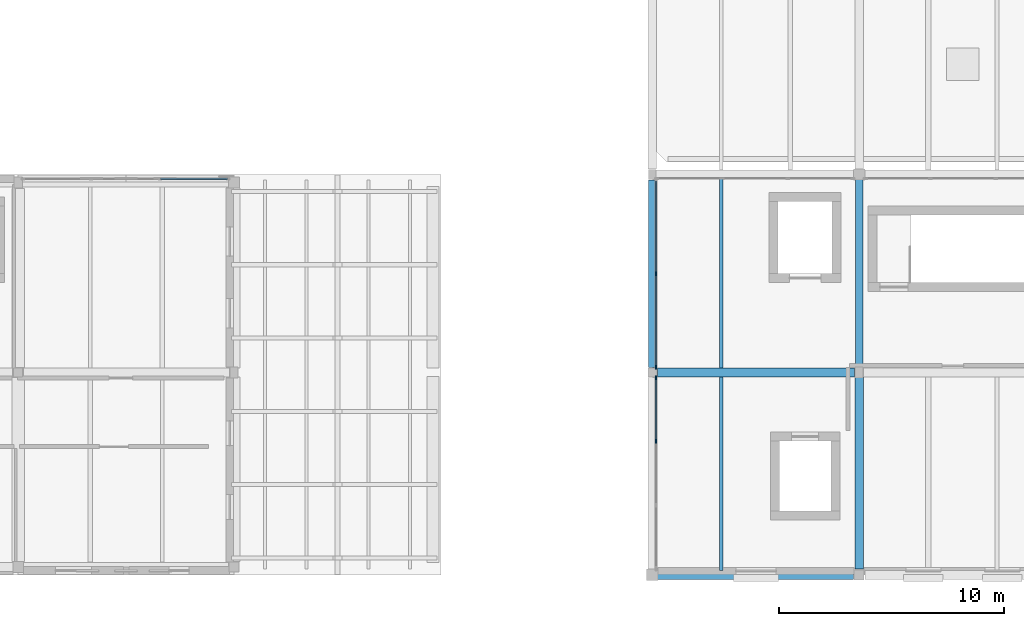
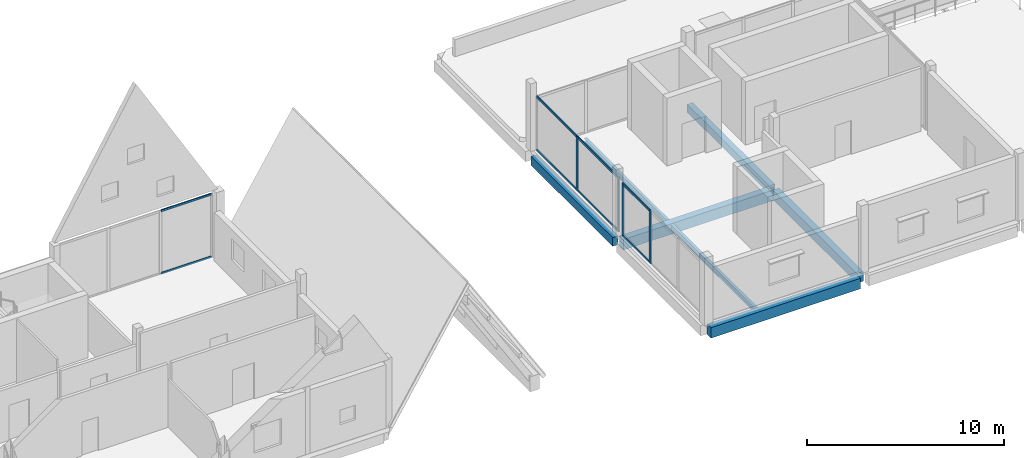
# One storey, part 7 of 23: 12 members, 7 beams, 3 elements without a shape of their own.
"""IFC4 building model written with IfcOpenShell, lengths in metres."""

from ifc_helpers import new_model, si_unit, direction, frame, origin, origin_2d, place, context, subcontext, project, spatial, rectangle, i_section, extrude, material, layer, layer_set, material_profile, profile_set, type_object, element, aggregate, save


model = new_model("IFC4")

# Units and contexts
model_context = context("Model", 3, precision=1e-05, world=origin(), true_north=direction((0.0, 1.0)))
body_context = subcontext(model_context, "Body", "Model", "MODEL_VIEW")
ifc_project = project(units=[si_unit("LENGTHUNIT", "METRE"), si_unit("AREAUNIT", "SQUARE_METRE"), si_unit("VOLUMEUNIT", "CUBIC_METRE"), si_unit("PLANEANGLEUNIT", "RADIAN"), si_unit("MASSUNIT", "GRAM", prefix="KILO")], contexts=[model_context])

# Site, building, storey
site_placement = place(None, origin())
site = spatial("IfcSite", under=ifc_project, at=site_placement, CompositionType="ELEMENT")
building_placement = place(site_placement, origin())
building = spatial("IfcBuilding", under=site, at=building_placement, Name="Birchvale Park Specialist Clinic", CompositionType="ELEMENT")
storey_placement = place(building_placement, frame((0.0, 0.0, 18.0)))
storey = spatial("IfcBuildingStorey", under=building, at=storey_placement, Name="L04", CompositionType="ELEMENT", Elevation=18.0)

# Beams
ifc_material_1 = material(Name="Concrete C40/50", Category="concrete")
ifc_material_profile_1 = material_profile(ifc_material_1, rectangle(XDim=0.320068359375, YDim=0.5400390625, at=origin_2d()), Name="RCB-320x540")
ifc_profile_set_1 = profile_set([ifc_material_profile_1], Name="Concrete C40/50")
beam_type_1 = type_object("IfcBeamType", Name="BM-EXT-BG7", PredefinedType="BEAM", material=ifc_profile_set_1)
beam_1_placement = place(storey_placement, frame((128.0, 26.02490234375, -0.550048828125), z_axis=(0.0, 1.0, 0.0), x_axis=(-1.0, 0.0, 0.0)))
element("IfcBeam", 1, at=beam_1_placement, inside=storey, type_object=beam_type_1, Name="V5 L04 Y girder 14", PredefinedType="BEAM", context=body_context, shape_type="SweptSolid", body=[
    extrude(rectangle(XDim=0.320068359375, YDim=0.5400390625, at=origin_2d()), origin(), (0.0, 0.0, 1.0), 8.3251953125),
])
ifc_material_profile_2 = material_profile(ifc_material_1, rectangle(XDim=0.39990234375, YDim=0.64990234375, at=origin_2d()), Name="RCB-400x650")
ifc_profile_set_2 = profile_set([ifc_material_profile_2], Name="Concrete C40/50")
beam_type_2 = type_object("IfcBeamType", Name="BM-INT-BG4", PredefinedType="BEAM", material=ifc_profile_set_2)
for number, where, z_axis, x_axis, name in (
    (2, (128.175048828125, 16.800048828125, -0.60498046875), (1.0, 0.0, 0.0), (0.0, 1.0, 0.0), "V5 L04 X girder 1"),
    (3, (128.22509765625, 25.800048828125, -0.60498046875), (1.0, 0.0, 0.0), (0.0, 1.0, 0.0), "V5 L04 X girder 4"),
):
    element("IfcBeam", number, at=place(storey_placement, frame(where, z_axis=z_axis, x_axis=x_axis)), inside=storey, type_object=beam_type_2, Name=name, PredefinedType="BEAM", context=body_context, shape_type="SweptSolid", body=[
        extrude(rectangle(XDim=0.39990234375, YDim=0.64990234375, at=origin_2d()), origin(), (0.0, 0.0, 1.0), 8.77490234375),
    ])
ifc_material_profile_3 = material_profile(ifc_material_1, rectangle(XDim=0.3798828125, YDim=0.60009765625, at=origin_2d()), Name="RCB-380x600")
ifc_profile_set_3 = profile_set([ifc_material_profile_3], Name="Concrete C40/50")
beam_type_3 = type_object("IfcBeamType", Name="BM-INT-BG5", PredefinedType="BEAM", material=ifc_profile_set_3)
beam_2_placement = place(storey_placement, frame((137.199951171875, 17.050048828125, -0.580078125), z_axis=(0.0, 1.0, 0.0), x_axis=(-1.0, 0.0, 0.0)))
element("IfcBeam", 4, at=beam_2_placement, inside=storey, type_object=beam_type_3, Name="V5 L04 Y girder 16", PredefinedType="BEAM", context=body_context, shape_type="SweptSolid", body=[
    extrude(rectangle(XDim=0.3798828125, YDim=0.60009765625, at=origin_2d()), origin(), (0.0, 0.0, 1.0), 8.550048828125),
])
ifc_material_profile_4 = material_profile(ifc_material_1, rectangle(XDim=0.320068359375, YDim=0.5, at=origin_2d()), Name="RCB-320x500")
ifc_profile_set_4 = profile_set([ifc_material_profile_4], Name="Concrete C40/50")
beam_type_4 = type_object("IfcBeamType", Name="BM-INT-BG7", PredefinedType="BEAM", material=ifc_profile_set_4)
beam_3_placement = place(storey_placement, frame((137.199951171875, 26.0, -0.530029296875), z_axis=(0.0, 1.0, 0.0), x_axis=(-1.0, 0.0, 0.0)))
element("IfcBeam", 5, at=beam_3_placement, inside=storey, type_object=beam_type_4, Name="V5 L04 Y girder 17", PredefinedType="BEAM", context=body_context, shape_type="SweptSolid", body=[
    extrude(rectangle(XDim=0.320068359375, YDim=0.5, at=origin_2d()), origin(), (0.0, 0.0, 1.0), 8.375),
])

# Curtain wall, members
ifc_material_2 = material(Name="Thermally broken anodised aluminium", Category="aluminium")
ifc_layer_1 = layer(ifc_material_2, 0.195068359375)
ifc_layer_set_1 = layer_set([ifc_layer_1], Name="Thermally broken anodised aluminium")
curtain_wall_type_1 = type_object("IfcCurtainWallType", Name="CW-U2", PredefinedType="USERDEFINED", material=ifc_layer_set_1)
curtain_wall_1_placement = place(storey_placement, origin())
curtain_wall_1 = element("IfcCurtainWall", 6, at=curtain_wall_1_placement, inside=storey, type_object=curtain_wall_type_1, Name="V5 L04 glazed curtain wall 143", ObjectType="UNITISED", PredefinedType="USERDEFINED")
ifc_material_profile_5 = material_profile(ifc_material_2, rectangle(XDim=0.06494140625, YDim=0.179931640625, at=origin_2d()), Name="CWM-65x180")
ifc_profile_set_5 = profile_set([ifc_material_profile_5], Name="Thermally broken anodised aluminium")
member_type_1 = type_object("IfcMemberType", Name="CWM2", PredefinedType="MULLION", material=ifc_profile_set_5)
member_1_placement = place(storey_placement, frame((128.175048828125, 30.1875, 0.0), z_axis=(0.0, 0.0, 1.0), x_axis=(1.0, 0.0, 0.0)))
member_1 = element("IfcMember", 7, at=member_1_placement, type_object=member_type_1, Name="CW mullion 2", PredefinedType="MULLION", context=body_context, shape_type="SweptSolid", body=[
    extrude(rectangle(XDim=0.06494140625, YDim=0.179931640625, at=origin_2d()), origin(), (0.0, 0.0, 1.0), 3.3701171875),
])
member_2_placement = place(storey_placement, frame((128.175048828125, 26.032470703125, 0.0), z_axis=(0.0, 0.0, 1.0), x_axis=(1.0, 0.0, 0.0)))
member_2 = element("IfcMember", 8, at=member_2_placement, type_object=member_type_1, Name="CW mullion 3", PredefinedType="MULLION", context=body_context, shape_type="SweptSolid", body=[
    extrude(rectangle(XDim=0.06494140625, YDim=0.179931640625, at=origin_2d()), origin(), (0.0, 0.0, 1.0), 3.3701171875),
])

curtain_wall_2_placement = place(storey_placement, origin())
curtain_wall_2 = element("IfcCurtainWall", 9, at=curtain_wall_2_placement, inside=storey, type_object=curtain_wall_type_1, Name="V5 L04 glazed curtain wall 144", ObjectType="UNITISED", PredefinedType="USERDEFINED")
member_3_placement = place(storey_placement, frame((128.175048828125, 25.5673828125, 0.0), z_axis=(0.0, 0.0, 1.0), x_axis=(1.0, 0.0, 0.0)))
member_3 = element("IfcMember", 10, at=member_3_placement, type_object=member_type_1, Name="CW mullion 1", PredefinedType="MULLION", context=body_context, shape_type="SweptSolid", body=[
    extrude(rectangle(XDim=0.06494140625, YDim=0.179931640625, at=origin_2d()), origin(), (0.0, 0.0, 1.0), 3.27001953125),
])
member_4_placement = place(storey_placement, frame((128.175048828125, 22.75, 0.0), z_axis=(0.0, 0.0, 1.0), x_axis=(1.0, 0.0, 0.0)))
member_4 = element("IfcMember", 11, at=member_4_placement, type_object=member_type_1, Name="CW mullion 2", PredefinedType="MULLION", context=body_context, shape_type="SweptSolid", body=[
    extrude(rectangle(XDim=0.06494140625, YDim=0.179931640625, at=origin_2d()), origin(), (0.0, 0.0, 1.0), 3.27001953125),
])

ifc_layer_2 = layer(ifc_material_2, 0.179931640625)
ifc_layer_set_2 = layer_set([ifc_layer_2], Name="Thermally broken anodised aluminium")
curtain_wall_type_2 = type_object("IfcCurtainWallType", Name="CW-U1", PredefinedType="USERDEFINED", material=ifc_layer_set_2)
curtain_wall_3_placement = place(storey_placement, origin())
curtain_wall_3 = element("IfcCurtainWall", 12, at=curtain_wall_3_placement, inside=storey, type_object=curtain_wall_type_2, Name="V4 L04 glazed curtain wall 139", ObjectType="UNITISED", PredefinedType="USERDEFINED")
ifc_material_profile_6 = material_profile(ifc_material_2, rectangle(XDim=0.06005859375, YDim=0.1201171875, at=origin_2d()), Name="CWT-60x120")
ifc_profile_set_6 = profile_set([ifc_material_profile_6], Name="Thermally broken anodised aluminium")
member_type_2 = type_object("IfcMemberType", Name="CWT1", PredefinedType="USERDEFINED", material=ifc_profile_set_6)
member_5_placement = place(storey_placement, frame((109.10009765625, 34.409912109375, 0.030029296875), z_axis=(-1.0, 0.0, 0.0), x_axis=(0.0, -1.0, 0.0)))
member_5 = element("IfcMember", 13, at=member_5_placement, type_object=member_type_2, Name="CW transom 1.1", ObjectType="TRANSOM", PredefinedType="USERDEFINED", context=body_context, shape_type="SweptSolid", body=[
    extrude(rectangle(XDim=0.06005859375, YDim=0.1201171875, at=origin_2d()), origin(), (0.0, 0.0, 1.0), 2.968505859375),
])
member_6_placement = place(storey_placement, frame((109.10009765625, 34.409912109375, 3.909912109375), z_axis=(-1.0, 0.0, 0.0), x_axis=(0.0, -1.0, 0.0)))
member_6 = element("IfcMember", 14, at=member_6_placement, type_object=member_type_2, Name="CW transom 1.2", ObjectType="TRANSOM", PredefinedType="USERDEFINED", context=body_context, shape_type="SweptSolid", body=[
    extrude(rectangle(XDim=0.06005859375, YDim=0.1201171875, at=origin_2d()), origin(), (0.0, 0.0, 1.0), 2.968505859375),
])
aggregate(curtain_wall_3, [member_5, member_6])

# Member
ifc_material_profile_7 = material_profile(ifc_material_2, rectangle(XDim=0.06494140625, YDim=0.139892578125, at=origin_2d()), Name="CWT-65x140")
ifc_profile_set_7 = profile_set([ifc_material_profile_7], Name="Thermally broken anodised aluminium")
member_type_3 = type_object("IfcMemberType", Name="CWT2", PredefinedType="USERDEFINED", material=ifc_profile_set_7)
member_7_placement = place(storey_placement, frame((128.175048828125, 34.31005859375, 0.032470703125), z_axis=(0.0, -1.0, 0.0), x_axis=(1.0, 0.0, 0.0)))
member_7 = element("IfcMember", 15, at=member_7_placement, type_object=member_type_3, Name="CW transom 1.1", ObjectType="TRANSOM", PredefinedType="USERDEFINED", context=body_context, shape_type="SweptSolid", body=[
    extrude(rectangle(XDim=0.06494140625, YDim=0.139892578125, at=origin_2d()), origin(), (0.0, 0.0, 1.0), 4.090087890625),
])

member_8_placement = place(storey_placement, frame((128.175048828125, 34.31005859375, 3.33740234375), z_axis=(0.0, -1.0, 0.0), x_axis=(1.0, 0.0, 0.0)))
member_8 = element("IfcMember", 16, at=member_8_placement, type_object=member_type_3, Name="CW transom 1.2", ObjectType="TRANSOM", PredefinedType="USERDEFINED", context=body_context, shape_type="SweptSolid", body=[
    extrude(rectangle(XDim=0.06494140625, YDim=0.139892578125, at=origin_2d()), origin(), (0.0, 0.0, 1.0), 4.090087890625),
])

member_9_placement = place(storey_placement, frame((128.175048828125, 30.155029296875, 0.032470703125), z_axis=(0.0, -1.0, 0.0), x_axis=(1.0, 0.0, 0.0)))
member_9 = element("IfcMember", 17, at=member_9_placement, type_object=member_type_3, Name="CW transom 2.1", ObjectType="TRANSOM", PredefinedType="USERDEFINED", context=body_context, shape_type="SweptSolid", body=[
    extrude(rectangle(XDim=0.06494140625, YDim=0.139892578125, at=origin_2d()), origin(), (0.0, 0.0, 1.0), 4.090087890625),
])

member_10_placement = place(storey_placement, frame((128.175048828125, 30.155029296875, 3.33740234375), z_axis=(0.0, -1.0, 0.0), x_axis=(1.0, 0.0, 0.0)))
member_10 = element("IfcMember", 18, at=member_10_placement, type_object=member_type_3, Name="CW transom 2.2", ObjectType="TRANSOM", PredefinedType="USERDEFINED", context=body_context, shape_type="SweptSolid", body=[
    extrude(rectangle(XDim=0.06494140625, YDim=0.139892578125, at=origin_2d()), origin(), (0.0, 0.0, 1.0), 4.090087890625),
])

aggregate(curtain_wall_1, [member_1, member_2, member_7, member_8, member_9, member_10])

member_11_placement = place(storey_placement, frame((128.175048828125, 25.534912109375, 0.032470703125), z_axis=(0.0, -1.0, 0.0), x_axis=(1.0, 0.0, 0.0)))
member_11 = element("IfcMember", 19, at=member_11_placement, type_object=member_type_3, Name="CW transom 1.1", ObjectType="TRANSOM", PredefinedType="USERDEFINED", context=body_context, shape_type="SweptSolid", body=[
    extrude(rectangle(XDim=0.06494140625, YDim=0.139892578125, at=origin_2d()), origin(), (0.0, 0.0, 1.0), 2.75244140625),
])

member_12_placement = place(storey_placement, frame((128.175048828125, 25.534912109375, 3.237548828125), z_axis=(0.0, -1.0, 0.0), x_axis=(1.0, 0.0, 0.0)))
member_12 = element("IfcMember", 20, at=member_12_placement, type_object=member_type_3, Name="CW transom 1.2", ObjectType="TRANSOM", PredefinedType="USERDEFINED", context=body_context, shape_type="SweptSolid", body=[
    extrude(rectangle(XDim=0.06494140625, YDim=0.139892578125, at=origin_2d()), origin(), (0.0, 0.0, 1.0), 2.75244140625),
])

aggregate(curtain_wall_2, [member_3, member_4, member_11, member_12])

# Beams
ifc_material_3 = material(Name="Steel ASTM A992 Grade 50", Category="steel")
ifc_material_profile_8 = material_profile(ifc_material_3, i_section(OverallWidth=0.1669921875, OverallDepth=0.31689453125, WebThickness=0.007568359375, FlangeThickness=0.01318359375, at=origin_2d()), Name="W12X35")
ifc_profile_set_8 = profile_set([ifc_material_profile_8], Name="Steel ASTM A992 Grade 50")
beam_type_5 = type_object("IfcBeamType", Name="STL-INT-SJ3", PredefinedType="JOIST", material=ifc_profile_set_8)
beam_4_placement = place(storey_placement, frame((131.066650390625, 17.0, -0.4384765625), z_axis=(0.0, 1.0, 0.0), x_axis=(-1.0, 0.0, 0.0)))
element("IfcBeam", 21, at=beam_4_placement, inside=storey, type_object=beam_type_5, Name="V5 L04 secondary floor joist 1", PredefinedType="JOIST", context=body_context, shape_type="SweptSolid", body=[
    extrude(i_section(OverallWidth=0.1669921875, OverallDepth=0.31689453125, WebThickness=0.007568359375, FlangeThickness=0.01318359375, at=origin_2d()), origin(), (0.0, 0.0, 1.0), 8.60009765625),
])
beam_5_placement = place(storey_placement, frame((131.066650390625, 26.0, -0.4384765625), z_axis=(0.0, 1.0, 0.0), x_axis=(-1.0, 0.0, 0.0)))
element("IfcBeam", 22, at=beam_5_placement, inside=storey, type_object=beam_type_5, Name="V5 L04 secondary floor joist 2", PredefinedType="JOIST", context=body_context, shape_type="SweptSolid", body=[
    extrude(i_section(OverallWidth=0.1669921875, OverallDepth=0.31689453125, WebThickness=0.007568359375, FlangeThickness=0.01318359375, at=origin_2d()), origin(), (0.0, 0.0, 1.0), 8.39990234375),
])

save(model, "model.ifc")
